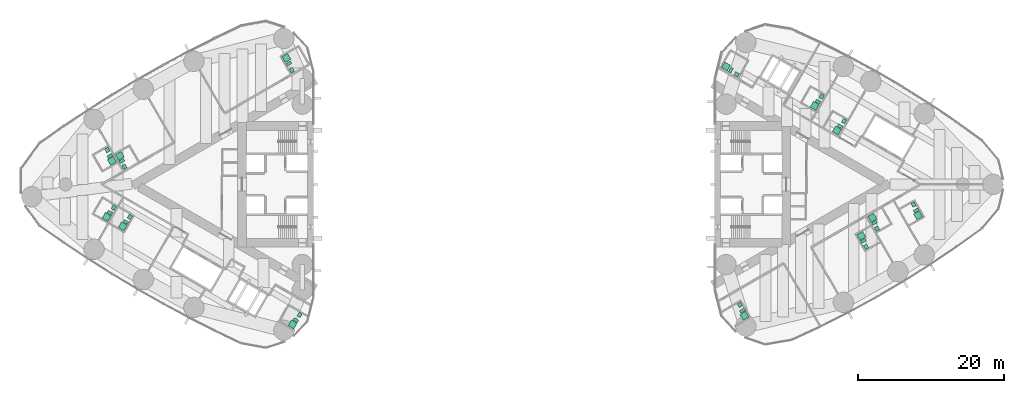
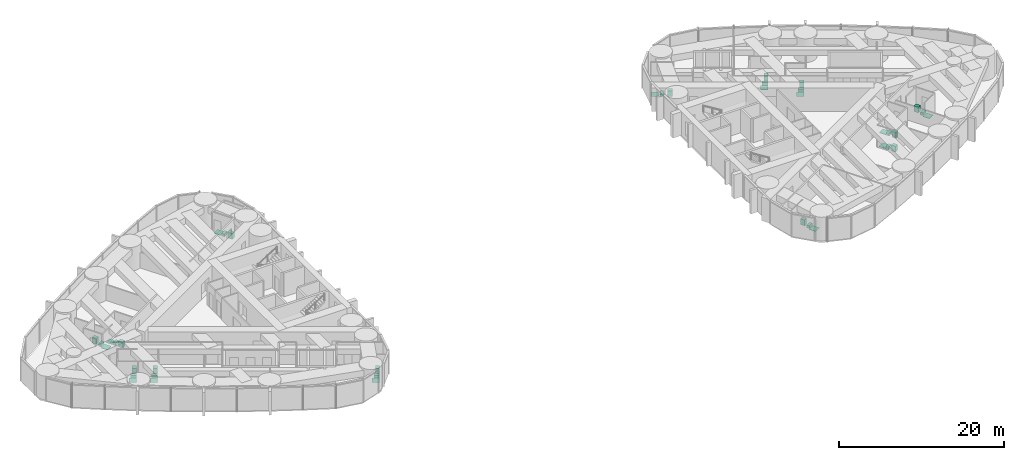
# One storey, part 19 of 19: 17 sanitary terminals.
"""IFC4 building model written with IfcOpenShell, lengths in metres."""

import ifcopenshell
import ifcopenshell.guid

model = None  # the IFC model being written
_history = None  # IfcOwnerHistory: only IFC2X3 demands one
_inside = {}  # id of a spatial element -> (the spatial element, [elements in it])
_under = {}  # id of a project, library or spatial element -> (it, [spatial elements below it])
_declared = {}  # id of a project -> (the project, [libraries it declares])
_typed = {}  # id of a type object -> (the type object, [elements of that type])
_made_of = {}  # id of a material, layer set ... -> (it, [elements and type objects made of it])


def new_model(schema):
    """Start an empty IFC model of exactly this schema.

    Asked for "IFC4X3", IfcOpenShell would pick the latest addendum, in which some entities
    have other attributes; the version numbers below select the first issue.
    IFC2X3 requires an IfcOwnerHistory on every rooted entity: one is made here for all.
    """
    global model, _history
    if schema == "IFC4X3":
        model = ifcopenshell.file(schema_version=(4, 3, 0, 0))
    else:
        model = ifcopenshell.file(schema=schema)
    _inside.clear()
    _under.clear()
    _declared.clear()
    _typed.clear()
    _made_of.clear()
    _history = None
    if model.schema == "IFC2X3":
        org = make("IfcOrganization", Name="unknown")
        user = make(
            "IfcPersonAndOrganization",
            ThePerson=make("IfcPerson", FamilyName="unknown"),
            TheOrganization=org,
        )
        app = make(
            "IfcApplication",
            ApplicationDeveloper=org,
            Version="unknown",
            ApplicationFullName="unknown",
            ApplicationIdentifier="unknown",
        )
        _history = make(
            "IfcOwnerHistory",
            OwningUser=user,
            OwningApplication=app,
            ChangeAction="ADDED",
            CreationDate=0,
        )
    return model


def make(cls, **values):
    """One entity of the class cls with the attributes given. An attribute that is None is left unset."""
    return model.create_entity(
        cls, **{name: value for name, value in values.items() if value is not None}
    )


def rooted(cls, **values):
    """An entity with a GlobalId (a new one), such as an element, a storey or a relation."""
    return make(cls, GlobalId=ifcopenshell.guid.new(), OwnerHistory=_history, **values)


def si_unit(unit_type, name, prefix=None):
    """IfcSIUnit, for example si_unit("LENGTHUNIT", "METRE", prefix="MILLI")."""
    return make("IfcSIUnit", UnitType=unit_type, Prefix=prefix, Name=name)


def assignment(units):
    """IfcUnitAssignment: the units of a project."""
    return None if units is None else make("IfcUnitAssignment", Units=units)


def point(xyz):
    """IfcCartesianPoint."""
    return None if xyz is None else make("IfcCartesianPoint", Coordinates=xyz)


def direction(xyz):
    """IfcDirection."""
    return None if xyz is None else make("IfcDirection", DirectionRatios=xyz)


def frame(location, z_axis=None, x_axis=None):
    """IfcAxis2Placement3D, a coordinate frame: its origin and axes. An axis left out is left unset."""
    return make(
        "IfcAxis2Placement3D",
        Location=point(location),
        Axis=direction(z_axis),
        RefDirection=direction(x_axis),
    )


def frame_2d(location, x_axis=None):
    """IfcAxis2Placement2D, a coordinate frame in the plane: its origin and x axis."""
    return make(
        "IfcAxis2Placement2D", Location=point(location), RefDirection=direction(x_axis)
    )


def origin():
    """The frame at (0, 0, 0) with its axes left unset."""
    return frame((0.0, 0.0, 0.0))


def origin_2d():
    """The frame at (0, 0) in the plane with its x axis left unset."""
    return frame_2d((0.0, 0.0))


def place(relative_to, where):
    """IfcLocalPlacement: puts the frame where relative to a parent placement (None: the world)."""
    return make(
        "IfcLocalPlacement", PlacementRelTo=relative_to, RelativePlacement=where
    )


def context(
    kind, dimensions, precision=None, world=None, true_north=None, identifier=None
):
    """IfcGeometricRepresentationContext, for example the 3D "Model" context."""
    return make(
        "IfcGeometricRepresentationContext",
        ContextIdentifier=identifier,
        ContextType=kind,
        CoordinateSpaceDimension=dimensions,
        Precision=precision,
        WorldCoordinateSystem=world,
        TrueNorth=true_north,
    )


def subcontext(parent, identifier, kind, view, scale=None):
    """IfcGeometricRepresentationSubContext, for example "Body" below "Model"."""
    return make(
        "IfcGeometricRepresentationSubContext",
        ContextIdentifier=identifier,
        ContextType=kind,
        ParentContext=parent,
        TargetScale=scale,
        TargetView=view,
    )


def project(units=None, contexts=None):
    """IfcProject with its units and contexts."""
    return rooted(
        "IfcProject",
        Name="project",
        RepresentationContexts=contexts,
        UnitsInContext=assignment(units),
    )


def spatial(cls, under=None, at=None, **own):
    """A site, building, storey or space (cls), placed at a placement, below another one or the project."""
    s = rooted(cls, ObjectPlacement=at, **own)
    if under is not None:
        _under.setdefault(under.id(), (under, []))[1].append(s)
    return s


def profile(cls, at=None, kind="AREA", **sizes):
    """A parametric profile (cls). Its sizes go by their IFC names, for example OverallWidth=200.0."""
    return make(cls, ProfileType=kind, Position=at, **sizes)


def rectangle(**sizes):
    """IfcRectangleProfileDef."""
    return profile("IfcRectangleProfileDef", **sizes)


def extrude(swept, where, along, depth):
    """IfcExtrudedAreaSolid: the profile swept, set in the frame where, extruded along a direction by depth."""
    return make(
        "IfcExtrudedAreaSolid",
        SweptArea=swept,
        Position=where,
        ExtrudedDirection=direction(along),
        Depth=depth,
    )


def shape(context_of_items, identifier, shape_type, items):
    """IfcShapeRepresentation: the items that make up one representation, for example the "Body"."""
    return make(
        "IfcShapeRepresentation",
        ContextOfItems=context_of_items,
        RepresentationIdentifier=identifier,
        RepresentationType=shape_type,
        Items=items,
    )


def material(Name=None, Category=None):
    """IfcMaterial."""
    return make("IfcMaterial", Name=Name, Category=Category)


def made_of(thing, what):
    """Note that an element or type object is made of a material, layer set ...; save() writes the relation."""
    if what is not None:
        _made_of.setdefault(what.id(), (what, []))[1].append(thing)
    return thing


def type_object(cls, material=None, **own):
    """A type object (cls), such as IfcWallType, which elements share."""
    return made_of(rooted(cls, **own), material)


def element(
    cls,
    number,
    at=None,
    inside=None,
    cuts=None,
    type_object=None,
    material=None,
    context=None,
    identifier="Body",
    shape_type=None,
    held_by="IfcProductDefinitionShape",
    body=None,
    shapes=None,
    **own,
):
    """One element of the class cls, such as IfcWall. Its Tag is "e" and its number.

    at: its placement. inside: the storey or other place that contains it. cuts: it is an
    opening in that element (IfcRelVoidsElement). A single representation is given by context,
    identifier, shape_type and body (its items); several are given by shapes. held_by: the class
    of the entity that holds the representations. save() writes the other relations.
    """
    e = rooted(cls, Tag="e%d" % number, ObjectPlacement=at, **own)
    if body is not None:
        shapes = [shape(context, identifier, shape_type, body)]
    if shapes is not None:
        e.Representation = make(held_by, Representations=shapes)
    if inside is not None:
        _inside.setdefault(inside.id(), (inside, []))[1].append(e)
    if cuts is not None:
        rooted(
            "IfcRelVoidsElement", RelatingBuildingElement=cuts, RelatedOpeningElement=e
        )
    if type_object is not None:
        _typed.setdefault(type_object.id(), (type_object, []))[1].append(e)
    return made_of(e, material)


def aggregate(whole, parts):
    """IfcRelAggregates: a whole, such as a stair, and the parts it consists of."""
    return rooted("IfcRelAggregates", RelatingObject=whole, RelatedObjects=parts)


def save(model, path):
    """Write the relations noted so far, then the file.

    IfcRelAggregates (storeys below a building ...), IfcRelContainedInSpatialStructure (elements
    in a storey), IfcRelDefinesByType, IfcRelAssociatesMaterial and IfcRelDeclares: one each for
    every whole, place, type object, material and project.
    """
    for whole, parts in _under.values():
        aggregate(whole, parts)
    for where, things in _inside.values():
        rooted(
            "IfcRelContainedInSpatialStructure",
            RelatedElements=things,
            RelatingStructure=where,
        )
    for kind, things in _typed.values():
        rooted("IfcRelDefinesByType", RelatedObjects=things, RelatingType=kind)
    for what, things in _made_of.values():
        rooted("IfcRelAssociatesMaterial", RelatedObjects=things, RelatingMaterial=what)
    for by, libraries in _declared.values():
        rooted("IfcRelDeclares", RelatingContext=by, RelatedDefinitions=libraries)
    model.write(path)


model = new_model("IFC4")

# Units and contexts
model_context = context("Model", 3, precision=1e-05, world=origin(), true_north=direction((0.0, 1.0)))
body_context = subcontext(model_context, "Body", "Model", "MODEL_VIEW")
ifc_project = project(units=[si_unit("LENGTHUNIT", "METRE"), si_unit("AREAUNIT", "SQUARE_METRE"), si_unit("VOLUMEUNIT", "CUBIC_METRE"), si_unit("PLANEANGLEUNIT", "RADIAN"), si_unit("MASSUNIT", "GRAM", prefix="KILO")], contexts=[model_context])

# Site, building, storey
site_placement = place(None, origin())
site = spatial("IfcSite", under=ifc_project, at=site_placement, CompositionType="ELEMENT")
building_placement = place(site_placement, origin())
building = spatial("IfcBuilding", under=site, at=building_placement, Name="Lancet Gate Hotel", CompositionType="ELEMENT")
storey_placement = place(building_placement, frame((0.0, 0.0, 159.800048828125)))
storey = spatial("IfcBuildingStorey", under=building, at=storey_placement, Name="L42", CompositionType="ELEMENT", Elevation=159.800048828125)

# Sanitary terminals
ifc_material_1 = material(Name="Vitreous china sanitary ware")
sanitary_terminal_type_1 = type_object("IfcSanitaryTerminalType", Name="En-suite sanitary set (shower, WC, basin)", PredefinedType="USERDEFINED", material=ifc_material_1)
sanitary_terminal_1_placement = place(storey_placement, frame((-54.058349609375, 3.90869140625, 0.0), z_axis=(0.0, 0.0, 1.0), x_axis=(1.0, 0.0, 0.0)))
element("IfcSanitaryTerminal", 1, at=sanitary_terminal_1_placement, inside=storey, type_object=sanitary_terminal_type_1, Name="En-suite sanitary set (shower, WC, basin) 4203", ObjectType="EN-SUITE SANITARY SET", PredefinedType="USERDEFINED", context=body_context, shape_type="SweptSolid", body=[
    extrude(rectangle(XDim=0.89990234375, YDim=0.89990234375, at=origin_2d()), frame((0.0, 0.0, 0.0), z_axis=(0.0, 0.0, 1.0), x_axis=(-0.5, 0.866025403784, 0.0)), (0.0, 0.0, 1.0), 0.050048828125),
    extrude(rectangle(XDim=0.39990234375, YDim=0.699951171875, at=origin_2d()), frame((0.2783203125, -0.682373046875, 0.0), z_axis=(0.0, 0.0, 1.0), x_axis=(-0.5, 0.866025403784, 0.0)), (0.0, 0.0, 1.0), 0.39990234375),
    extrude(rectangle(XDim=0.60009765625, YDim=0.5, at=origin_2d()), frame((0.631591796875, -1.494384765625, 0.0), z_axis=(0.0, 0.0, 1.0), x_axis=(-0.5, 0.866025403784, 0.0)), (0.0, 0.0, 1.0), 0.85009765625),
])
sanitary_terminal_2_placement = place(storey_placement, frame((-55.1455078125, 3.211669921875, 0.0), z_axis=(0.0, 0.0, 1.0), x_axis=(1.0, 0.0, 0.0)))
element("IfcSanitaryTerminal", 2, at=sanitary_terminal_2_placement, inside=storey, type_object=sanitary_terminal_type_1, Name="En-suite sanitary set (shower, WC, basin) 4204", ObjectType="EN-SUITE SANITARY SET", PredefinedType="USERDEFINED", context=body_context, shape_type="SweptSolid", body=[
    extrude(rectangle(XDim=0.89990234375, YDim=0.89990234375, at=origin_2d()), frame((0.0, 0.0, 0.0), z_axis=(0.0, 0.0, 1.0), x_axis=(0.5, -0.866025403784, 0.0)), (0.0, 0.0, 1.0), 0.050048828125),
    extrude(rectangle(XDim=0.39990234375, YDim=0.699951171875, at=origin_2d()), frame((-0.278564453125, 0.68212890625, 0.0), z_axis=(0.0, 0.0, 1.0), x_axis=(0.5, -0.866025403784, 0.0)), (0.0, 0.0, 1.0), 0.39990234375),
    extrude(rectangle(XDim=0.60009765625, YDim=0.5, at=origin_2d()), frame((-0.6318359375, 1.494140625, 0.0), z_axis=(0.0, 0.0, 1.0), x_axis=(0.5, -0.866025403784, 0.0)), (0.0, 0.0, 1.0), 0.85009765625),
])
sanitary_terminal_3_placement = place(storey_placement, frame((-55.87548828125, -4.47607421875, 0.0), z_axis=(0.0, 0.0, 1.0), x_axis=(1.0, 0.0, 0.0)))
element("IfcSanitaryTerminal", 3, at=sanitary_terminal_3_placement, inside=storey, type_object=sanitary_terminal_type_1, Name="En-suite sanitary set (shower, WC, basin) 4205", ObjectType="EN-SUITE SANITARY SET", PredefinedType="USERDEFINED", context=body_context, shape_type="SweptSolid", body=[
    extrude(rectangle(XDim=0.89990234375, YDim=0.89990234375, at=origin_2d()), frame((0.0, 0.0, 0.0), z_axis=(0.0, 0.0, 1.0), x_axis=(-0.5, -0.866025403784, 0.0)), (0.0, 0.0, 1.0), 0.050048828125),
    extrude(rectangle(XDim=0.39990234375, YDim=0.699951171875, at=origin_2d()), frame((0.451416015625, 0.582275390625, 0.0), z_axis=(0.0, 0.0, 1.0), x_axis=(-0.5, -0.866025403784, 0.0)), (0.0, 0.0, 1.0), 0.39990234375),
    extrude(rectangle(XDim=0.60009765625, YDim=0.5, at=origin_2d()), frame((0.97802734375, 1.29443359375, 0.0), z_axis=(0.0, 0.0, 1.0), x_axis=(-0.5, -0.866025403784, 0.0)), (0.0, 0.0, 1.0), 0.85009765625),
])
for number, where, z_axis, x_axis, name in (
    (4, (-53.667236328125, -5.7509765625, 0.0), (0.0, 0.0, 1.0), (1.0, 0.0, 0.0), "En-suite sanitary set (shower, WC, basin) 4206"),
    (5, (-30.37841796875, -19.19677734375, 0.0), (0.0, 0.0, 1.0), (1.0, 0.0, 0.0), "En-suite sanitary set (shower, WC, basin) 4208"),
):
    element("IfcSanitaryTerminal", number, at=place(storey_placement, frame(where, z_axis=z_axis, x_axis=x_axis)), inside=storey, type_object=sanitary_terminal_type_1, Name=name, ObjectType="EN-SUITE SANITARY SET", PredefinedType="USERDEFINED", context=body_context, shape_type="SweptSolid", body=[
        extrude(rectangle(XDim=0.89990234375, YDim=0.89990234375, at=origin_2d()), frame((0.0, 0.0, 0.0), z_axis=(0.0, 0.0, 1.0), x_axis=(-0.5, -0.866025403784, 0.0)), (0.0, 0.0, 1.0), 0.050048828125),
        extrude(rectangle(XDim=0.39990234375, YDim=0.699951171875, at=origin_2d()), frame((0.451416015625, 0.582275390625, 0.0), z_axis=(0.0, 0.0, 1.0), x_axis=(-0.5, -0.866025403784, 0.0)), (0.0, 0.0, 1.0), 0.39990234375),
        extrude(rectangle(XDim=0.60009765625, YDim=0.5, at=origin_2d()), frame((0.97802734375, 1.294189453125, 0.0), z_axis=(0.0, 0.0, 1.0), x_axis=(-0.5, -0.866025403784, 0.0)), (0.0, 0.0, 1.0), 0.85009765625),
    ])
sanitary_terminal_4_placement = place(storey_placement, frame((31.569091796875, -18.00927734375, 0.0), z_axis=(0.0, 0.0, 1.0), x_axis=(1.0, 0.0, 0.0)))
element("IfcSanitaryTerminal", 6, at=sanitary_terminal_4_placement, inside=storey, type_object=sanitary_terminal_type_1, Name="En-suite sanitary set (shower, WC, basin) 4251", ObjectType="EN-SUITE SANITARY SET", PredefinedType="USERDEFINED", context=body_context, shape_type="SweptSolid", body=[
    extrude(rectangle(XDim=0.89990234375, YDim=0.89990234375, at=origin_2d()), frame((0.0, 0.0, 0.0), z_axis=(0.0, 0.0, 1.0), x_axis=(0.5, -0.866025403784, 0.0)), (0.0, 0.0, 1.0), 0.050048828125),
    extrude(rectangle(XDim=0.39990234375, YDim=0.699951171875, at=origin_2d()), frame((-0.2783203125, 0.68212890625, 0.0), z_axis=(0.0, 0.0, 1.0), x_axis=(0.5, -0.866025403784, 0.0)), (0.0, 0.0, 1.0), 0.39990234375),
    extrude(rectangle(XDim=0.60009765625, YDim=0.5, at=origin_2d()), frame((-0.6318359375, 1.494384765625, 0.0), z_axis=(0.0, 0.0, 1.0), x_axis=(0.5, -0.866025403784, 0.0)), (0.0, 0.0, 1.0), 0.85009765625),
])
sanitary_terminal_5_placement = place(storey_placement, frame((47.60986328125, -7.062255859375, 0.0), z_axis=(0.0, 0.0, 1.0), x_axis=(1.0, 0.0, 0.0)))
element("IfcSanitaryTerminal", 7, at=sanitary_terminal_5_placement, inside=storey, type_object=sanitary_terminal_type_1, Name="En-suite sanitary set (shower, WC, basin) 4254", ObjectType="EN-SUITE SANITARY SET", PredefinedType="USERDEFINED", context=body_context, shape_type="SweptSolid", body=[
    extrude(rectangle(XDim=0.89990234375, YDim=0.89990234375, at=origin_2d()), frame((0.0, 0.0, 0.0), z_axis=(0.0, 0.0, 1.0), x_axis=(-0.5, 0.866025403784, 0.0)), (0.0, 0.0, 1.0), 0.050048828125),
    extrude(rectangle(XDim=0.39990234375, YDim=0.699951171875, at=origin_2d()), frame((0.2783203125, -0.68212890625, 0.0), z_axis=(0.0, 0.0, 1.0), x_axis=(-0.5, 0.866025403784, 0.0)), (0.0, 0.0, 1.0), 0.39990234375),
    extrude(rectangle(XDim=0.60009765625, YDim=0.5, at=origin_2d()), frame((0.6318359375, -1.494384765625, 0.0), z_axis=(0.0, 0.0, 1.0), x_axis=(-0.5, 0.866025403784, 0.0)), (0.0, 0.0, 1.0), 0.85009765625),
])
sanitary_terminal_6_placement = place(storey_placement, frame((49.118408203125, -4.574951171875, 0.0), z_axis=(0.0, 0.0, 1.0), x_axis=(1.0, 0.0, 0.0)))
element("IfcSanitaryTerminal", 8, at=sanitary_terminal_6_placement, inside=storey, type_object=sanitary_terminal_type_1, Name="En-suite sanitary set (shower, WC, basin) 4256", ObjectType="EN-SUITE SANITARY SET", PredefinedType="USERDEFINED", context=body_context, shape_type="SweptSolid", body=[
    extrude(rectangle(XDim=0.89990234375, YDim=0.89990234375, at=origin_2d()), frame((0.0, 0.0, 0.0), z_axis=(0.0, 0.0, 1.0), x_axis=(-0.5, 0.866025403784, 0.0)), (0.0, 0.0, 1.0), 0.050048828125),
    extrude(rectangle(XDim=0.39990234375, YDim=0.699951171875, at=origin_2d()), frame((0.2783203125, -0.68212890625, 0.0), z_axis=(0.0, 0.0, 1.0), x_axis=(-0.5, 0.866025403784, 0.0)), (0.0, 0.0, 1.0), 0.39990234375),
    extrude(rectangle(XDim=0.60009765625, YDim=0.5, at=origin_2d()), frame((0.631591796875, -1.494140625, 0.0), z_axis=(0.0, 0.0, 1.0), x_axis=(-0.5, 0.866025403784, 0.0)), (0.0, 0.0, 1.0), 0.85009765625),
])
sanitary_terminal_7_placement = place(storey_placement, frame((55.39013671875, -4.25634765625, 0.0), z_axis=(0.0, 0.0, 1.0), x_axis=(1.0, 0.0, 0.0)))
element("IfcSanitaryTerminal", 9, at=sanitary_terminal_7_placement, inside=storey, type_object=sanitary_terminal_type_1, Name="En-suite sanitary set (shower, WC, basin) 4257", ObjectType="EN-SUITE SANITARY SET", PredefinedType="USERDEFINED", context=body_context, shape_type="SweptSolid", body=[
    extrude(rectangle(XDim=0.89990234375, YDim=0.89990234375, at=origin_2d()), frame((0.0, 0.0, 0.0), z_axis=(0.0, 0.0, 1.0), x_axis=(0.5, -0.866025403784, 0.0)), (0.0, 0.0, 1.0), 0.050048828125),
    extrude(rectangle(XDim=0.39990234375, YDim=0.699951171875, at=origin_2d()), frame((-0.2783203125, 0.68212890625, 0.0), z_axis=(0.0, 0.0, 1.0), x_axis=(0.5, -0.866025403784, 0.0)), (0.0, 0.0, 1.0), 0.39990234375),
    extrude(rectangle(XDim=0.60009765625, YDim=0.5, at=origin_2d()), frame((-0.6318359375, 1.494384765625, 0.0), z_axis=(0.0, 0.0, 1.0), x_axis=(0.5, -0.866025403784, 0.0)), (0.0, 0.0, 1.0), 0.85009765625),
])
sanitary_terminal_8_placement = place(storey_placement, frame((44.247802734375, 7.38671875, 0.0), z_axis=(0.0, 0.0, 1.0), x_axis=(1.0, 0.0, 0.0)))
element("IfcSanitaryTerminal", 10, at=sanitary_terminal_8_placement, inside=storey, type_object=sanitary_terminal_type_1, Name="En-suite sanitary set (shower, WC, basin) 4261", ObjectType="EN-SUITE SANITARY SET", PredefinedType="USERDEFINED", context=body_context, shape_type="SweptSolid", body=[
    extrude(rectangle(XDim=0.89990234375, YDim=0.89990234375, at=origin_2d()), frame((0.0, 0.0, 0.0), z_axis=(0.0, 0.0, 1.0), x_axis=(-0.5, -0.866025403784, 0.0)), (0.0, 0.0, 1.0), 0.050048828125),
    extrude(rectangle(XDim=0.39990234375, YDim=0.699951171875, at=origin_2d()), frame((0.45166015625, 0.582275390625, 0.0), z_axis=(0.0, 0.0, 1.0), x_axis=(-0.5, -0.866025403784, 0.0)), (0.0, 0.0, 1.0), 0.39990234375),
    extrude(rectangle(XDim=0.60009765625, YDim=0.5, at=origin_2d()), frame((0.978271484375, 1.29443359375, 0.0), z_axis=(0.0, 0.0, 1.0), x_axis=(-0.5, -0.866025403784, 0.0)), (0.0, 0.0, 1.0), 0.85009765625),
])
sanitary_terminal_9_placement = place(storey_placement, frame((41.19580078125, 10.765625, 0.0), z_axis=(0.0, 0.0, 1.0), x_axis=(1.0, 0.0, 0.0)))
element("IfcSanitaryTerminal", 11, at=sanitary_terminal_9_placement, inside=storey, type_object=sanitary_terminal_type_1, Name="En-suite sanitary set (shower, WC, basin) 4262", ObjectType="EN-SUITE SANITARY SET", PredefinedType="USERDEFINED", context=body_context, shape_type="SweptSolid", body=[
    extrude(rectangle(XDim=0.89990234375, YDim=0.89990234375, at=origin_2d()), frame((0.0, 0.0, 0.0), z_axis=(0.0, 0.0, 1.0), x_axis=(-0.5, -0.866025403784, 0.0)), (0.0, 0.0, 1.0), 0.050048828125),
    extrude(rectangle(XDim=0.39990234375, YDim=0.699951171875, at=origin_2d()), frame((0.451416015625, 0.582275390625, 0.0), z_axis=(0.0, 0.0, 1.0), x_axis=(-0.5, -0.866025403784, 0.0)), (0.0, 0.0, 1.0), 0.39990234375),
    extrude(rectangle(XDim=0.60009765625, YDim=0.5, at=origin_2d()), frame((0.97802734375, 1.294189453125, 0.0), z_axis=(0.0, 0.0, 1.0), x_axis=(-0.5, -0.866025403784, 0.0)), (0.0, 0.0, 1.0), 0.85009765625),
])
ifc_material_2 = material(Name="Stone resin shower tray", Category="masonry")
sanitary_terminal_type_2 = type_object("IfcSanitaryTerminalType", Name="Shower tray 900", PredefinedType="SHOWER", material=ifc_material_2)
for number, where, z_axis, x_axis, name in (
    (12, (-31.216064453125, 17.327392578125, 0.0), (0.0, 0.0, 1.0), (-0.5, 0.866025403784, 0.0), "Shower tray 900 4201"),
    (13, (29.0478515625, 16.16259765625, 0.0), (0.0, 0.0, 1.0), (-0.866025403784, 0.5, 0.0), "Shower tray 900 4263"),
):
    element("IfcSanitaryTerminal", number, at=place(storey_placement, frame(where, z_axis=z_axis, x_axis=x_axis)), inside=storey, type_object=sanitary_terminal_type_2, Name=name, PredefinedType="SHOWER", context=body_context, shape_type="SweptSolid", body=[
        extrude(rectangle(XDim=0.89990234375, YDim=0.89990234375, at=origin_2d()), origin(), (0.0, 0.0, 1.0), 0.050048828125),
    ])
ifc_material_3 = material(Name="Vitreous china sanitary ware")
sanitary_terminal_type_3 = type_object("IfcSanitaryTerminalType", Name="Vanity basin 600", PredefinedType="WASHHANDBASIN", material=ifc_material_3)
for number, where, z_axis, x_axis, name in (
    (14, (-30.484375, 15.659912109375, 0.0), (0.0, 0.0, 1.0), (-0.5, 0.866025403784, 0.0), "Vanity basin 600 4201"),
    (15, (30.515380859375, 15.084228515625, 0.0), (0.0, 0.0, 1.0), (-0.866025403784, 0.5, 0.0), "Vanity basin 600 4263"),
):
    element("IfcSanitaryTerminal", number, at=place(storey_placement, frame(where, z_axis=z_axis, x_axis=x_axis)), inside=storey, type_object=sanitary_terminal_type_3, Name=name, PredefinedType="WASHHANDBASIN", context=body_context, shape_type="SweptSolid", body=[
        extrude(rectangle(XDim=0.60009765625, YDim=0.5, at=origin_2d()), origin(), (0.0, 0.0, 1.0), 0.85009765625),
    ])
ifc_material_4 = material(Name="Vitreous china sanitary ware")
sanitary_terminal_type_4 = type_object("IfcSanitaryTerminalType", Name="WC pan wall hung", PredefinedType="TOILETPAN", material=ifc_material_4)
for number, where, z_axis, x_axis, name in (
    (16, (-30.8876953125, 16.55859375, 0.0), (0.0, 0.0, 1.0), (-0.5, 0.866025403784, 0.0), "WC pan wall hung 4201"),
    (17, (29.716796875, 15.660888671875, 0.0), (0.0, 0.0, 1.0), (-0.866025403784, 0.5, 0.0), "WC pan wall hung 4263"),
):
    element("IfcSanitaryTerminal", number, at=place(storey_placement, frame(where, z_axis=z_axis, x_axis=x_axis)), inside=storey, type_object=sanitary_terminal_type_4, Name=name, PredefinedType="TOILETPAN", context=body_context, shape_type="SweptSolid", body=[
        extrude(rectangle(XDim=0.39990234375, YDim=0.699951171875, at=origin_2d()), origin(), (0.0, 0.0, 1.0), 0.39990234375),
    ])

save(model, "model.ifc")
